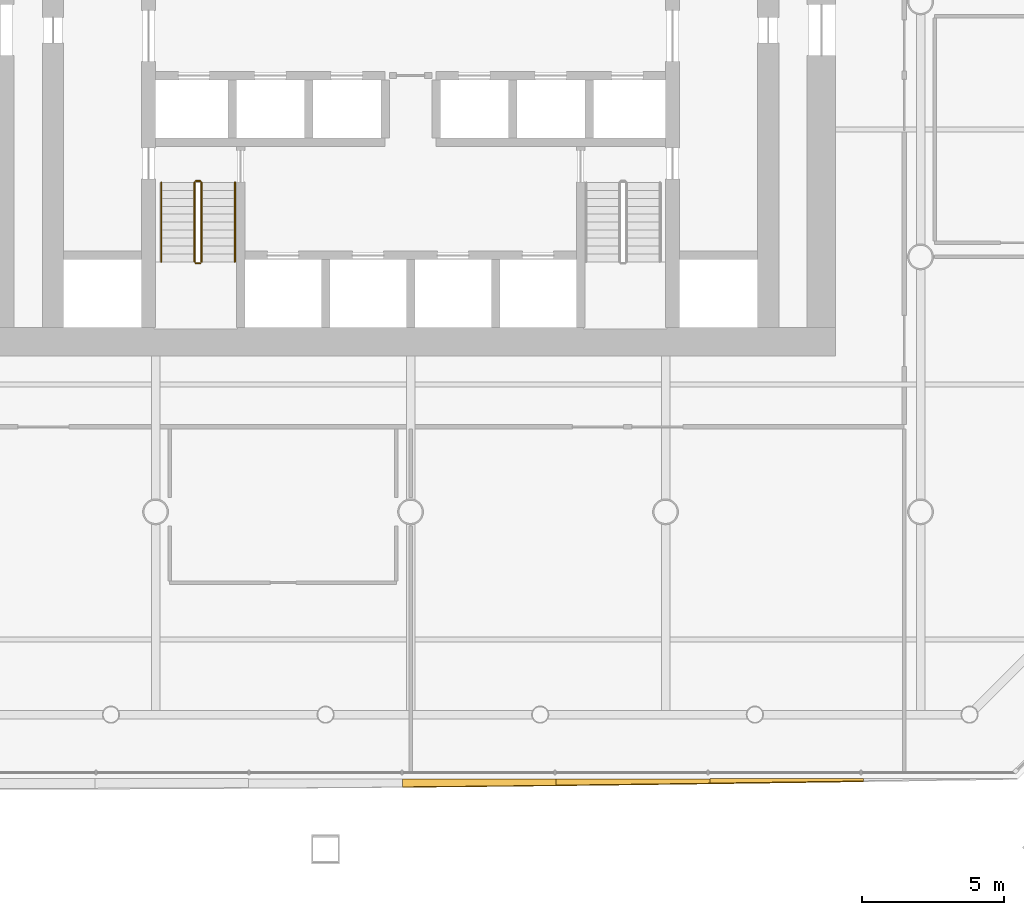
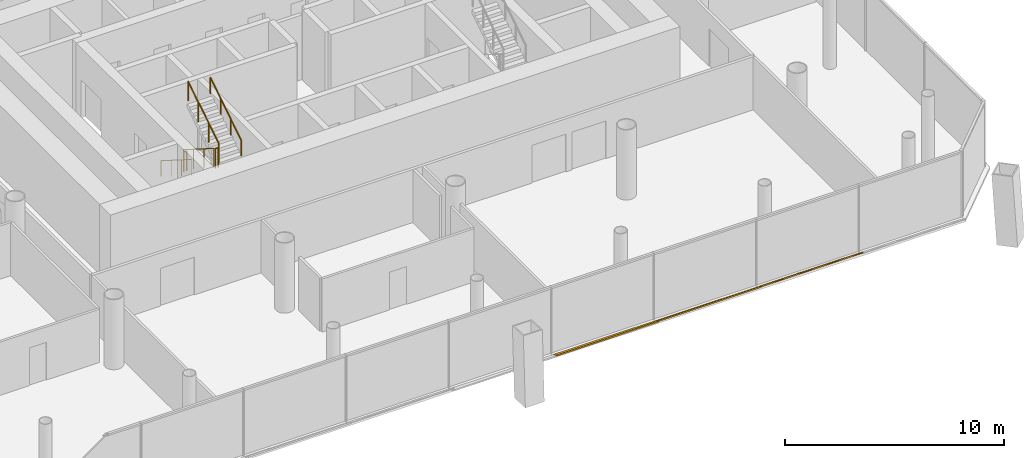
# One storey, part 19 of 22: 6 railings, 3 shading devices.
"""IFC4 building model written with IfcOpenShell, lengths in metres."""

from ifc_helpers import new_model, si_unit, direction, frame, origin, origin_2d, place, context, subcontext, project, spatial, polyline, circle, outline, extrude, material, layer, layer_set, type_object, element, save


model = new_model("IFC4")

# Units and contexts
model_context = context("Model", 3, precision=1e-05, world=origin(), true_north=direction((0.0, 1.0)))
body_context = subcontext(model_context, "Body", "Model", "MODEL_VIEW")
ifc_project = project(units=[si_unit("LENGTHUNIT", "METRE"), si_unit("AREAUNIT", "SQUARE_METRE"), si_unit("VOLUMEUNIT", "CUBIC_METRE"), si_unit("PLANEANGLEUNIT", "RADIAN"), si_unit("MASSUNIT", "GRAM", prefix="KILO")], contexts=[model_context])

# Site, building, storey
site_placement = place(None, origin())
site = spatial("IfcSite", under=ifc_project, at=site_placement, CompositionType="ELEMENT")
building_placement = place(site_placement, origin())
building = spatial("IfcBuilding", under=site, at=building_placement, Name="Tskaro Facet Tower", CompositionType="ELEMENT")
storey_placement = place(building_placement, frame((0.0, 0.0, 30.300048828125)))
storey = spatial("IfcBuildingStorey", under=building, at=storey_placement, Name="L06", CompositionType="ELEMENT", Elevation=30.300048828125)

# Shading devices
ifc_material_1 = material(Name="Bronze anodised aluminium 6063-T6", Category="aluminium")
ifc_layer = layer(ifc_material_1, 0.06005859375, Name="Bronze anodised aluminium 6063-T6")
ifc_layer_set = layer_set([ifc_layer], Name="Bronze anodised aluminium 6063-T6")
shading_device_type = type_object("IfcShadingDeviceType", Name="Bronze sun blade (FN1)", PredefinedType="USERDEFINED", material=ifc_layer_set)
shading_device_1_placement = place(storey_placement, frame((-0.287841796875, -27.4267578125, 0.054443359375), z_axis=(-6.881563e-06, 0.422407143899, 0.906406202944), x_axis=(0.999999999976, 2.906821e-06, 6.237491e-06)))
element("IfcShadingDevice", 1, at=shading_device_1_placement, inside=storey, type_object=shading_device_type, Name="Fin blade south 6", ObjectType="FIN", PredefinedType="USERDEFINED", context=body_context, shape_type="SweptSolid", body=[
    extrude(outline(polyline([(0.0, 0.0), (5.424072265496569, 0.0), (5.424072265076031, -0.24750428665002477), (4.746093749599917, -0.2561324862724702), (4.0681152340203255, -0.2642149779970054), (3.3901367184407336, -0.27229746972154056), (2.712158203570815, -0.28015867086917984), (2.0339355472627503, -0.28769545469580476), (1.355957030766528, -0.29490782120141534), (0.6779785165028038, -0.30200202387424846), (-8.065703853443685e-10, -0.3088899730588447), (0.0, 0.0)])), origin(), (0.0, 0.0, -1.0), 0.06005859375),
])
shading_device_2_placement = place(storey_placement, frame((5.13623046875, -27.422119140625, 0.052001953125), z_axis=(2.286294e-06, 0.500102814686, 0.865966035557), x_axis=(0.999999999997, -1.143382e-06, -1.979853e-06)))
element("IfcShadingDevice", 2, at=shading_device_2_placement, inside=storey, type_object=shading_device_type, Name="Fin blade south 7", ObjectType="FIN", PredefinedType="USERDEFINED", context=body_context, shape_type="SweptSolid", body=[
    extrude(outline(polyline([(0.0, 0.0), (5.424316406235823, 0.0), (5.424316406120061, -0.1810274265326884), (4.7463378906746225, -0.19141387731982656), (4.068359374950037, -0.2015889106178145), (3.3901367186004534, -0.21176394391580247), (2.712158203080085, -0.22160546431089828), (2.0341796875597167, -0.2314469847059941), (1.356201171964419, -0.24074357470904756), (0.678222656369121, -0.250040164712101), (-1.303222251388612e-10, -0.2591253372260043), (0.0, 0.0)])), origin(), (0.0, 0.0, -1.0), 0.06005859375),
])
shading_device_3_placement = place(storey_placement, frame((10.560546875, -27.41748046875, 0.049072265625), z_axis=(7.99139e-06, 0.573378002639, 0.819290953219), x_axis=(0.999999999968, -4.582087e-06, -6.547274e-06)))
element("IfcShadingDevice", 3, at=shading_device_3_placement, inside=storey, type_object=shading_device_type, Name="Fin blade south 8", ObjectType="FIN", PredefinedType="USERDEFINED", context=body_context, shape_type="SweptSolid", body=[
    extrude(outline(polyline([(0.0, 0.0), (5.424316406076795, 0.0), (5.424316407114561, -0.09854385354928114), (4.746093749277955, -0.11060430281853223), (4.0681152336647965, -0.12252476722385332), (3.3901367180516386, -0.13444523162917443), (2.7121582029182623, -0.1460256889651835), (2.0341796877848854, -0.15760614630119257), (1.355957032026517, -0.16918660363720167), (0.6779785157744668, -0.1805670387678287), (2.1983120089594623e-12, -0.19160746682914376), (0.0, 0.0)])), origin(), (0.0, 0.0, -1.0), 0.06005859375),
])

# Railings
ifc_material_2 = material(Name="Stainless steel", Category="steel")
railing_type_1 = type_object("IfcRailingType", Name="RL-GUARD-1100", PredefinedType="GUARDRAIL", material=ifc_material_2)
railing_1_placement = place(storey_placement, frame((-7.625, -6.375, 0.17724609375)))
element("IfcRailing", 4, at=railing_1_placement, inside=storey, type_object=railing_type_1, Name="L06 ST-1 stair guard 1", PredefinedType="GUARDRAIL", context=body_context, shape_type="SweptSolid", body=[
    extrude(circle(Radius=0.02392578125, at=origin_2d()), frame((0.0, 0.0, 1.076171875), z_axis=(0.0, -0.844908973607, 0.534910110503), x_axis=(1.0, 0.0, 0.0)), (0.0, 0.0, 1.0), 3.31396484375),
    extrude(circle(Radius=0.02099609375, at=origin_2d()), origin(), (0.0, 0.0, 1.0), 1.052001953125),
    extrude(circle(Radius=0.02099609375, at=origin_2d()), frame((0.0, -0.933349609375, 0.5908203125)), (0.0, 0.0, 1.0), 1.052001953125),
    extrude(circle(Radius=0.02099609375, at=origin_2d()), frame((0.0, -1.86669921875, 1.181884765625)), (0.0, 0.0, 1.0), 1.052001953125),
    extrude(circle(Radius=0.02099609375, at=origin_2d()), frame((0.0, -2.800048828125, 1.772705078125)), (0.0, 0.0, 1.0), 1.052001953125),
])
railing_2_placement = place(storey_placement, frame((-7.574951171875, -9.22509765625, 1.949951171875)))
element("IfcRailing", 5, at=railing_2_placement, inside=storey, type_object=railing_type_1, Name="L06 ST-1 stair guard 2", PredefinedType="GUARDRAIL", context=body_context, shape_type="SweptSolid", body=[
    extrude(circle(Radius=0.02392578125, at=origin_2d()), frame((0.0, 0.0, 1.076171875), z_axis=(1.0, 0.0, 0.0), x_axis=(0.0, 1.0, 0.0)), (0.0, 0.0, 1.0), 0.14990234375),
    extrude(circle(Radius=0.02099609375, at=origin_2d()), origin(), (0.0, 0.0, 1.0), 1.052001953125),
    extrude(circle(Radius=0.02099609375, at=origin_2d()), frame((0.14990234375, 0.0, 0.0)), (0.0, 0.0, 1.0), 1.052001953125),
])
railing_3_placement = place(storey_placement, frame((-7.375, -9.175048828125, 2.127197265625)))
element("IfcRailing", 6, at=railing_3_placement, inside=storey, type_object=railing_type_1, Name="L06 ST-1 stair guard 3", PredefinedType="GUARDRAIL", context=body_context, shape_type="SweptSolid", body=[
    extrude(circle(Radius=0.02392578125, at=origin_2d()), frame((0.0, 0.0, 1.076171875), z_axis=(0.0, 0.844908973607, 0.534910110503), x_axis=(-1.0, 0.0, 0.0)), (0.0, 0.0, 1.0), 3.31396484375),
    extrude(circle(Radius=0.02099609375, at=origin_2d()), origin(), (0.0, 0.0, 1.0), 1.052001953125),
    extrude(circle(Radius=0.02099609375, at=origin_2d()), frame((0.0, 0.933349609375, 0.5908203125)), (0.0, 0.0, 1.0), 1.052001953125),
    extrude(circle(Radius=0.02099609375, at=origin_2d()), frame((0.0, 1.86669921875, 1.181884765625)), (0.0, 0.0, 1.0), 1.052001953125),
    extrude(circle(Radius=0.02099609375, at=origin_2d()), frame((0.0, 2.800048828125, 1.772705078125)), (0.0, 0.0, 1.0), 1.052001953125),
])
railing_4_placement = place(storey_placement, frame((-7.574951171875, -6.324951171875, 0.0)))
element("IfcRailing", 7, at=railing_4_placement, inside=storey, type_object=railing_type_1, Name="L06 ST-1 stair guard 4", PredefinedType="GUARDRAIL", context=body_context, shape_type="SweptSolid", body=[
    extrude(circle(Radius=0.02392578125, at=origin_2d()), frame((0.0, 0.0, 1.076171875), z_axis=(1.0, 0.0, 0.0), x_axis=(0.0, 1.0, 0.0)), (0.0, 0.0, 1.0), 0.14990234375),
    extrude(circle(Radius=0.02099609375, at=origin_2d()), origin(), (0.0, 0.0, 1.0), 1.052001953125),
    extrude(circle(Radius=0.02099609375, at=origin_2d()), frame((0.14990234375, 0.0, 0.0)), (0.0, 0.0, 1.0), 1.052001953125),
])
railing_type_2 = type_object("IfcRailingType", Name="RL-HANDRAIL-900", PredefinedType="HANDRAIL", material=ifc_material_2)
railing_5_placement = place(storey_placement, frame((-8.800048828125, -6.375, 0.17724609375)))
element("IfcRailing", 8, at=railing_5_placement, inside=storey, type_object=railing_type_2, Name="L06 ST-1 stair handrail 1", PredefinedType="HANDRAIL", context=body_context, shape_type="SweptSolid", body=[
    extrude(circle(Radius=0.02392578125, at=origin_2d()), frame((0.0, 0.0, 0.8759765625), z_axis=(0.0, -0.844908973607, 0.534910110503), x_axis=(1.0, 0.0, 0.0)), (0.0, 0.0, 1.0), 3.31396484375),
    extrude(circle(Radius=0.02099609375, at=origin_2d()), origin(), (0.0, 0.0, 1.0), 0.851806640625),
    extrude(circle(Radius=0.02099609375, at=origin_2d()), frame((0.0, -0.933349609375, 0.5908203125)), (0.0, 0.0, 1.0), 0.851806640625),
    extrude(circle(Radius=0.02099609375, at=origin_2d()), frame((0.0, -1.86669921875, 1.181884765625)), (0.0, 0.0, 1.0), 0.851806640625),
    extrude(circle(Radius=0.02099609375, at=origin_2d()), frame((0.0, -2.800048828125, 1.772705078125)), (0.0, 0.0, 1.0), 0.851806640625),
])
railing_6_placement = place(storey_placement, frame((-6.199951171875, -9.175048828125, 2.127197265625)))
element("IfcRailing", 9, at=railing_6_placement, inside=storey, type_object=railing_type_2, Name="L06 ST-1 stair handrail 2", PredefinedType="HANDRAIL", context=body_context, shape_type="SweptSolid", body=[
    extrude(circle(Radius=0.02392578125, at=origin_2d()), frame((0.0, 0.0, 0.8759765625), z_axis=(0.0, 0.844908973607, 0.534910110503), x_axis=(-1.0, 0.0, 0.0)), (0.0, 0.0, 1.0), 3.31396484375),
    extrude(circle(Radius=0.02099609375, at=origin_2d()), origin(), (0.0, 0.0, 1.0), 0.851806640625),
    extrude(circle(Radius=0.02099609375, at=origin_2d()), frame((0.0, 0.933349609375, 0.5908203125)), (0.0, 0.0, 1.0), 0.851806640625),
    extrude(circle(Radius=0.02099609375, at=origin_2d()), frame((0.0, 1.86669921875, 1.181884765625)), (0.0, 0.0, 1.0), 0.851806640625),
    extrude(circle(Radius=0.02099609375, at=origin_2d()), frame((0.0, 2.800048828125, 1.772705078125)), (0.0, 0.0, 1.0), 0.851806640625),
])

save(model, "model.ifc")
